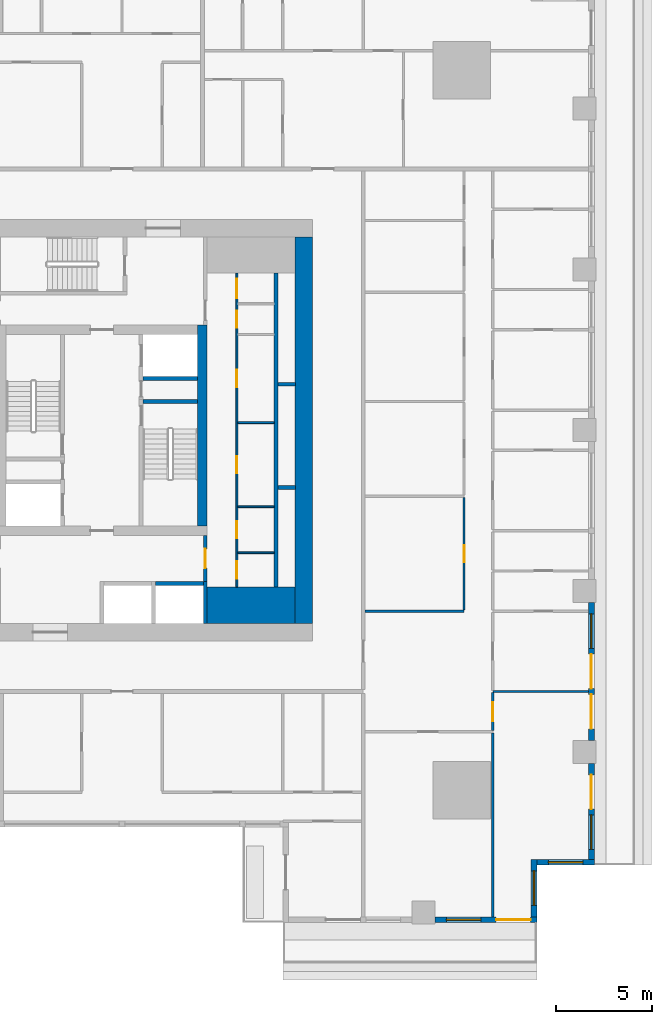
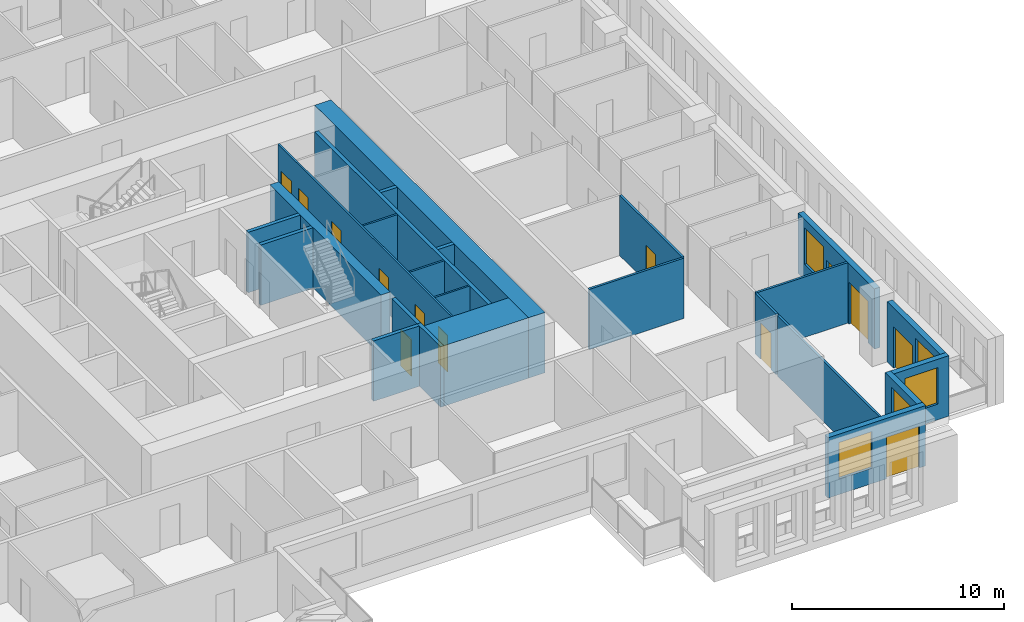
# One storey, part 5 of 15: 25 walls, 13 doors, 5 windows, 18 openings.
"""IFC4 building model written with IfcOpenShell, lengths in metres."""

import ifcopenshell
import ifcopenshell.guid

model = None  # the IFC model being written
_history = None  # IfcOwnerHistory: only IFC2X3 demands one
_inside = {}  # id of a spatial element -> (the spatial element, [elements in it])
_under = {}  # id of a project, library or spatial element -> (it, [spatial elements below it])
_declared = {}  # id of a project -> (the project, [libraries it declares])
_typed = {}  # id of a type object -> (the type object, [elements of that type])
_made_of = {}  # id of a material, layer set ... -> (it, [elements and type objects made of it])


def new_model(schema):
    """Start an empty IFC model of exactly this schema.

    Asked for "IFC4X3", IfcOpenShell would pick the latest addendum, in which some entities
    have other attributes; the version numbers below select the first issue.
    IFC2X3 requires an IfcOwnerHistory on every rooted entity: one is made here for all.
    """
    global model, _history
    if schema == "IFC4X3":
        model = ifcopenshell.file(schema_version=(4, 3, 0, 0))
    else:
        model = ifcopenshell.file(schema=schema)
    _inside.clear()
    _under.clear()
    _declared.clear()
    _typed.clear()
    _made_of.clear()
    _history = None
    if model.schema == "IFC2X3":
        org = make("IfcOrganization", Name="unknown")
        user = make(
            "IfcPersonAndOrganization",
            ThePerson=make("IfcPerson", FamilyName="unknown"),
            TheOrganization=org,
        )
        app = make(
            "IfcApplication",
            ApplicationDeveloper=org,
            Version="unknown",
            ApplicationFullName="unknown",
            ApplicationIdentifier="unknown",
        )
        _history = make(
            "IfcOwnerHistory",
            OwningUser=user,
            OwningApplication=app,
            ChangeAction="ADDED",
            CreationDate=0,
        )
    return model


def make(cls, **values):
    """One entity of the class cls with the attributes given. An attribute that is None is left unset."""
    return model.create_entity(
        cls, **{name: value for name, value in values.items() if value is not None}
    )


def rooted(cls, **values):
    """An entity with a GlobalId (a new one), such as an element, a storey or a relation."""
    return make(cls, GlobalId=ifcopenshell.guid.new(), OwnerHistory=_history, **values)


def si_unit(unit_type, name, prefix=None):
    """IfcSIUnit, for example si_unit("LENGTHUNIT", "METRE", prefix="MILLI")."""
    return make("IfcSIUnit", UnitType=unit_type, Prefix=prefix, Name=name)


def assignment(units):
    """IfcUnitAssignment: the units of a project."""
    return None if units is None else make("IfcUnitAssignment", Units=units)


def point(xyz):
    """IfcCartesianPoint."""
    return None if xyz is None else make("IfcCartesianPoint", Coordinates=xyz)


def direction(xyz):
    """IfcDirection."""
    return None if xyz is None else make("IfcDirection", DirectionRatios=xyz)


def frame(location, z_axis=None, x_axis=None):
    """IfcAxis2Placement3D, a coordinate frame: its origin and axes. An axis left out is left unset."""
    return make(
        "IfcAxis2Placement3D",
        Location=point(location),
        Axis=direction(z_axis),
        RefDirection=direction(x_axis),
    )


def frame_2d(location, x_axis=None):
    """IfcAxis2Placement2D, a coordinate frame in the plane: its origin and x axis."""
    return make(
        "IfcAxis2Placement2D", Location=point(location), RefDirection=direction(x_axis)
    )


def origin():
    """The frame at (0, 0, 0) with its axes left unset."""
    return frame((0.0, 0.0, 0.0))


def place(relative_to, where):
    """IfcLocalPlacement: puts the frame where relative to a parent placement (None: the world)."""
    return make(
        "IfcLocalPlacement", PlacementRelTo=relative_to, RelativePlacement=where
    )


def context(
    kind, dimensions, precision=None, world=None, true_north=None, identifier=None
):
    """IfcGeometricRepresentationContext, for example the 3D "Model" context."""
    return make(
        "IfcGeometricRepresentationContext",
        ContextIdentifier=identifier,
        ContextType=kind,
        CoordinateSpaceDimension=dimensions,
        Precision=precision,
        WorldCoordinateSystem=world,
        TrueNorth=true_north,
    )


def subcontext(parent, identifier, kind, view, scale=None):
    """IfcGeometricRepresentationSubContext, for example "Body" below "Model"."""
    return make(
        "IfcGeometricRepresentationSubContext",
        ContextIdentifier=identifier,
        ContextType=kind,
        ParentContext=parent,
        TargetScale=scale,
        TargetView=view,
    )


def project(units=None, contexts=None):
    """IfcProject with its units and contexts."""
    return rooted(
        "IfcProject",
        Name="project",
        RepresentationContexts=contexts,
        UnitsInContext=assignment(units),
    )


def spatial(cls, under=None, at=None, **own):
    """A site, building, storey or space (cls), placed at a placement, below another one or the project."""
    s = rooted(cls, ObjectPlacement=at, **own)
    if under is not None:
        _under.setdefault(under.id(), (under, []))[1].append(s)
    return s


def profile(cls, at=None, kind="AREA", **sizes):
    """A parametric profile (cls). Its sizes go by their IFC names, for example OverallWidth=200.0."""
    return make(cls, ProfileType=kind, Position=at, **sizes)


def rectangle(**sizes):
    """IfcRectangleProfileDef."""
    return profile("IfcRectangleProfileDef", **sizes)


def extrude(swept, where, along, depth):
    """IfcExtrudedAreaSolid: the profile swept, set in the frame where, extruded along a direction by depth."""
    return make(
        "IfcExtrudedAreaSolid",
        SweptArea=swept,
        Position=where,
        ExtrudedDirection=direction(along),
        Depth=depth,
    )


def shape(context_of_items, identifier, shape_type, items):
    """IfcShapeRepresentation: the items that make up one representation, for example the "Body"."""
    return make(
        "IfcShapeRepresentation",
        ContextOfItems=context_of_items,
        RepresentationIdentifier=identifier,
        RepresentationType=shape_type,
        Items=items,
    )


def material(Name=None, Category=None):
    """IfcMaterial."""
    return make("IfcMaterial", Name=Name, Category=Category)


def layer(
    of_material, thickness, ventilated=None, Name=None, Category=None, Priority=None
):
    """IfcMaterialLayer: one layer of a wall or slab, of a material (None: an air gap)."""
    return make(
        "IfcMaterialLayer",
        Material=of_material,
        LayerThickness=thickness,
        IsVentilated=ventilated,
        Name=Name,
        Category=Category,
        Priority=Priority,
    )


def layer_set(layers, Name=None):
    """IfcMaterialLayerSet."""
    return make("IfcMaterialLayerSet", MaterialLayers=layers, LayerSetName=Name)


def made_of(thing, what):
    """Note that an element or type object is made of a material, layer set ...; save() writes the relation."""
    if what is not None:
        _made_of.setdefault(what.id(), (what, []))[1].append(thing)
    return thing


def type_object(cls, material=None, **own):
    """A type object (cls), such as IfcWallType, which elements share."""
    return made_of(rooted(cls, **own), material)


def element(
    cls,
    number,
    at=None,
    inside=None,
    cuts=None,
    type_object=None,
    material=None,
    context=None,
    identifier="Body",
    shape_type=None,
    held_by="IfcProductDefinitionShape",
    body=None,
    shapes=None,
    **own,
):
    """One element of the class cls, such as IfcWall. Its Tag is "e" and its number.

    at: its placement. inside: the storey or other place that contains it. cuts: it is an
    opening in that element (IfcRelVoidsElement). A single representation is given by context,
    identifier, shape_type and body (its items); several are given by shapes. held_by: the class
    of the entity that holds the representations. save() writes the other relations.
    """
    e = rooted(cls, Tag="e%d" % number, ObjectPlacement=at, **own)
    if body is not None:
        shapes = [shape(context, identifier, shape_type, body)]
    if shapes is not None:
        e.Representation = make(held_by, Representations=shapes)
    if inside is not None:
        _inside.setdefault(inside.id(), (inside, []))[1].append(e)
    if cuts is not None:
        rooted(
            "IfcRelVoidsElement", RelatingBuildingElement=cuts, RelatedOpeningElement=e
        )
    if type_object is not None:
        _typed.setdefault(type_object.id(), (type_object, []))[1].append(e)
    return made_of(e, material)


def fill(opening, filler):
    """IfcRelFillsElement: the door or window that sits in an opening."""
    return rooted(
        "IfcRelFillsElement",
        RelatingOpeningElement=opening,
        RelatedBuildingElement=filler,
    )


def aggregate(whole, parts):
    """IfcRelAggregates: a whole, such as a stair, and the parts it consists of."""
    return rooted("IfcRelAggregates", RelatingObject=whole, RelatedObjects=parts)


def save(model, path):
    """Write the relations noted so far, then the file.

    IfcRelAggregates (storeys below a building ...), IfcRelContainedInSpatialStructure (elements
    in a storey), IfcRelDefinesByType, IfcRelAssociatesMaterial and IfcRelDeclares: one each for
    every whole, place, type object, material and project.
    """
    for whole, parts in _under.values():
        aggregate(whole, parts)
    for where, things in _inside.values():
        rooted(
            "IfcRelContainedInSpatialStructure",
            RelatedElements=things,
            RelatingStructure=where,
        )
    for kind, things in _typed.values():
        rooted("IfcRelDefinesByType", RelatedObjects=things, RelatingType=kind)
    for what, things in _made_of.values():
        rooted("IfcRelAssociatesMaterial", RelatedObjects=things, RelatingMaterial=what)
    for by, libraries in _declared.values():
        rooted("IfcRelDeclares", RelatingContext=by, RelatedDefinitions=libraries)
    model.write(path)


model = new_model("IFC4")

# Units and contexts
model_context = context("Model", 3, precision=1e-05, world=origin(), true_north=direction((0.0, 1.0)))
body_context = subcontext(model_context, "Body", "Model", "MODEL_VIEW")
ifc_project = project(units=[si_unit("LENGTHUNIT", "METRE"), si_unit("AREAUNIT", "SQUARE_METRE"), si_unit("VOLUMEUNIT", "CUBIC_METRE"), si_unit("PLANEANGLEUNIT", "RADIAN"), si_unit("MASSUNIT", "GRAM", prefix="KILO")], contexts=[model_context])

# Site, building, storey
site_placement = place(None, origin())
site = spatial("IfcSite", under=ifc_project, at=site_placement, CompositionType="ELEMENT")
building_placement = place(site_placement, origin())
building = spatial("IfcBuilding", under=site, at=building_placement, Name="Khepri Terraces", CompositionType="ELEMENT")
storey_placement = place(building_placement, frame((0.0, 0.0, 50.39990234375)))
storey = spatial("IfcBuildingStorey", under=building, at=storey_placement, Name="L11", CompositionType="ELEMENT", Elevation=50.39990234375)

# Walls
ifc_material_1 = material(Name="Concrete C80/95", Category="concrete")
ifc_layer_1 = layer(ifc_material_1, 1.89990234375, Name="Concrete C80/95", Category="concrete")
ifc_layer_set_1 = layer_set([ifc_layer_1], Name="Concrete C80/95")
wall_type_1 = type_object("IfcWallType", Name="Core wall 1900 C80/95", PredefinedType="SHEAR", material=ifc_layer_set_1)
wall_1_placement = place(storey_placement, frame((5.5, -9.14990234375, 0.0), z_axis=(0.0, 0.0, 1.0), x_axis=(1.0, 0.0, 0.0)))
element("IfcWall", 1, at=wall_1_placement, inside=storey, type_object=wall_type_1, Name="Core wall PR02 L11", PredefinedType="SHEAR", context=body_context, shape_type="SweptSolid", body=[
    extrude(rectangle(XDim=4.60009765625, YDim=1.89990234375, at=frame_2d((2.300048828125, 0.0))), origin(), (0.0, 0.0, 1.0), 3.47998046875),
])
ifc_layer_2 = layer(ifc_material_1, 0.199951171875, Name="Concrete C80/95", Category="concrete")
ifc_layer_set_2 = layer_set([ifc_layer_2], Name="Concrete C80/95")
wall_type_2 = type_object("IfcWallType", Name="Core wall 200 C80/95", PredefinedType="SHEAR", material=ifc_layer_set_2)
wall_2_placement = place(storey_placement, frame((2.14990234375, 1.5, 0.0), z_axis=(0.0, 0.0, 1.0), x_axis=(1.0, 0.0, 0.0)))
element("IfcWall", 2, at=wall_2_placement, inside=storey, type_object=wall_type_2, Name="Core wall ST04 L11", PredefinedType="SHEAR", context=body_context, shape_type="SweptSolid", body=[
    extrude(rectangle(XDim=2.85009765625, YDim=0.199951171875, at=frame_2d((1.425048828125, 0.0))), origin(), (0.0, 0.0, 1.0), 3.47998046875),
])
wall_3_placement = place(storey_placement, frame((5.39990234375, -10.10009765625, 0.0), z_axis=(0.0, 0.0, 1.0), x_axis=(0.0, 1.0, 0.0)))
element("IfcWall", 3, at=wall_3_placement, inside=storey, type_object=wall_type_2, Name="Core wall SH03 L11", PredefinedType="SHEAR", context=body_context, shape_type="SweptSolid", body=[
    extrude(rectangle(XDim=2.2001953125, YDim=0.199951171875, at=frame_2d((1.10009765625, 0.0))), origin(), (0.0, 0.0, 1.0), 3.47998046875),
])
wall_4_placement = place(storey_placement, frame((9.10009765625, -8.199951171875, 0.0), z_axis=(0.0, 0.0, 1.0), x_axis=(0.0, 1.0, 0.0)))
element("IfcWall", 4, at=wall_4_placement, inside=storey, type_object=wall_type_2, Name="Core wall SH05 L11", PredefinedType="SHEAR", context=body_context, shape_type="SweptSolid", body=[
    extrude(rectangle(XDim=16.39990234375, YDim=0.199951171875, at=frame_2d((8.199951171875, 0.0))), origin(), (0.0, 0.0, 1.0), 3.47998046875),
])
wall_5_placement = place(storey_placement, frame((2.800048828125, -8.0, 0.0), z_axis=(0.0, 0.0, 1.0), x_axis=(1.0, 0.0, 0.0)))
element("IfcWall", 5, at=wall_5_placement, inside=storey, type_object=wall_type_2, Name="Core wall SH07 L11", PredefinedType="SHEAR", context=body_context, shape_type="SweptSolid", body=[
    extrude(rectangle(XDim=2.5, YDim=0.199951171875, at=frame_2d((1.25, 0.0))), origin(), (0.0, 0.0, 1.0), 3.47998046875),
])
for number, where, z_axis, x_axis, name in (
    (6, (9.199951171875, -3.0, 0.0), (0.0, 0.0, 1.0), (1.0, 0.0, 0.0), "Core wall SH11 L11"),
    (7, (9.199951171875, 2.39990234375, 0.0), (0.0, 0.0, 1.0), (1.0, 0.0, 0.0), "Core wall SH16 L11"),
):
    element("IfcWall", number, at=place(storey_placement, frame(where, z_axis=z_axis, x_axis=x_axis)), inside=storey, type_object=wall_type_2, Name=name, PredefinedType="SHEAR", context=body_context, shape_type="SweptSolid", body=[
        extrude(rectangle(XDim=0.900146484375, YDim=0.199951171875, at=frame_2d((0.4501953125, 0.0))), origin(), (0.0, 0.0, 1.0), 3.47998046875),
    ])
wall_6_placement = place(storey_placement, frame((2.14990234375, 2.699951171875, 0.0), z_axis=(0.0, 0.0, 1.0), x_axis=(1.0, 0.0, 0.0)))
element("IfcWall", 8, at=wall_6_placement, inside=storey, type_object=wall_type_2, Name="Core wall SH18 L11", PredefinedType="SHEAR", context=body_context, shape_type="SweptSolid", body=[
    extrude(rectangle(XDim=2.85009765625, YDim=0.199951171875, at=frame_2d((1.425048828125, 0.0))), origin(), (0.0, 0.0, 1.0), 3.47998046875),
])
ifc_layer_3 = layer(ifc_material_1, 0.5, Name="Concrete C80/95", Category="concrete")
ifc_layer_set_3 = layer_set([ifc_layer_3], Name="Concrete C80/95")
wall_type_3 = type_object("IfcWallType", Name="Core wall 500 C80/95", PredefinedType="SHEAR", material=ifc_layer_set_3)
wall_7_placement = place(storey_placement, frame((5.25, -5.0, 0.0), z_axis=(0.0, 0.0, 1.0), x_axis=(0.0, 1.0, 0.0)))
element("IfcWall", 9, at=wall_7_placement, inside=storey, type_object=wall_type_3, Name="Core wall BX03 L11", PredefinedType="SHEAR", context=body_context, shape_type="SweptSolid", body=[
    extrude(rectangle(XDim=10.5, YDim=0.5, at=frame_2d((5.25, 0.0))), origin(), (0.0, 0.0, 1.0), 3.47998046875),
])
ifc_layer_4 = layer(ifc_material_1, 0.89990234375, Name="Concrete C80/95", Category="concrete")
ifc_layer_set_4 = layer_set([ifc_layer_4], Name="Concrete C80/95")
wall_type_4 = type_object("IfcWallType", Name="Core wall 900 C80/95", PredefinedType="SHEAR", material=ifc_layer_set_4)
wall_8_placement = place(storey_placement, frame((10.550048828125, -10.10009765625, 0.0), z_axis=(0.0, 0.0, 1.0), x_axis=(0.0, 1.0, 0.0)))
element("IfcWall", 10, at=wall_8_placement, inside=storey, type_object=wall_type_4, Name="Core wall OW-E L11", PredefinedType="SHEAR", context=body_context, shape_type="SweptSolid", body=[
    extrude(rectangle(XDim=20.2001953125, YDim=0.89990234375, at=frame_2d((10.10009765625, 0.0))), origin(), (0.0, 0.0, 1.0), 3.47998046875),
])

# Wall, openings, doors
ifc_material_2 = material(Name="Fire-rated gypsum board partition")
ifc_layer_5 = layer(ifc_material_2, 0.10009765625, Name="Fire-rated gypsum board partition")
ifc_layer_set_5 = layer_set([ifc_layer_5], Name="Fire-rated gypsum board partition")
wall_type_5 = type_object("IfcWallType", Name="WL-CORE-PART-100", PredefinedType="PARTITIONING", material=ifc_layer_set_5)
wall_9_placement = place(storey_placement, frame((7.050048828125, -8.199951171875, 0.0), z_axis=(0.0, 0.0, 1.0), x_axis=(0.0, 1.0, 0.0)))
wall_9 = element("IfcWall", 11, at=wall_9_placement, inside=storey, type_object=wall_type_5, Name="Core partition PT02 L11", PredefinedType="PARTITIONING", context=body_context, shape_type="SweptSolid", body=[
    extrude(rectangle(XDim=16.39990234375, YDim=0.10009765625, at=frame_2d((8.199951171875, 0.0))), origin(), (0.0, 0.0, 1.0), 3.47998046875),
])
opening_1_placement = place(wall_9_placement, frame((0.449951171875, 0.0, 0.0)))
opening_1 = element("IfcOpeningElement", 12, at=opening_1_placement, cuts=wall_9, Name="Opening L11-C22", PredefinedType="OPENING", context=body_context, shape_type="SweptSolid", body=[
    extrude(rectangle(XDim=0.89990234375, YDim=2.10009765625, at=frame_2d((0.449951171875, 1.050048828125))), frame((0.0, 0.06005859375, 0.0), z_axis=(0.0, -1.0, 0.0), x_axis=(1.0, 0.0, 0.0)), (0.0, 0.0, 1.0), 0.1201171875),
])
opening_2_placement = place(wall_9_placement, frame((2.550048828125, 0.0, 0.0)))
opening_2 = element("IfcOpeningElement", 13, at=opening_2_placement, cuts=wall_9, Name="Opening L11-C23", PredefinedType="OPENING", context=body_context, shape_type="SweptSolid", body=[
    extrude(rectangle(XDim=0.89990234375, YDim=2.10009765625, at=frame_2d((0.449951171875, 1.050048828125))), frame((0.0, 0.06005859375, 0.0), z_axis=(0.0, -1.0, 0.0), x_axis=(1.0, 0.0, 0.0)), (0.0, 0.0, 1.0), 0.1201171875),
])
opening_3_placement = place(wall_9_placement, frame((5.949951171875, 0.0, 0.0)))
opening_3 = element("IfcOpeningElement", 14, at=opening_3_placement, cuts=wall_9, Name="Opening L11-C24", PredefinedType="OPENING", context=body_context, shape_type="SweptSolid", body=[
    extrude(rectangle(XDim=0.89990234375, YDim=2.10009765625, at=frame_2d((0.449951171875, 1.050048828125))), frame((0.0, 0.06005859375, 0.0), z_axis=(0.0, -1.0, 0.0), x_axis=(1.0, 0.0, 0.0)), (0.0, 0.0, 1.0), 0.1201171875),
])
opening_4_placement = place(wall_9_placement, frame((10.449951171875, 0.0, 0.0)))
opening_4 = element("IfcOpeningElement", 15, at=opening_4_placement, cuts=wall_9, Name="Opening L11-C25", PredefinedType="OPENING", context=body_context, shape_type="SweptSolid", body=[
    extrude(rectangle(XDim=0.89990234375, YDim=2.10009765625, at=frame_2d((0.449951171875, 1.050048828125))), frame((0.0, 0.06005859375, 0.0), z_axis=(0.0, -1.0, 0.0), x_axis=(1.0, 0.0, 0.0)), (0.0, 0.0, 1.0), 0.1201171875),
])
opening_5_placement = place(wall_9_placement, frame((13.550048828125, 0.0, 0.0)))
opening_5 = element("IfcOpeningElement", 16, at=opening_5_placement, cuts=wall_9, Name="Opening L11-C26", PredefinedType="OPENING", context=body_context, shape_type="SweptSolid", body=[
    extrude(rectangle(XDim=0.89990234375, YDim=2.10009765625, at=frame_2d((0.449951171875, 1.050048828125))), frame((0.0, 0.06005859375, 0.0), z_axis=(0.0, -1.0, 0.0), x_axis=(1.0, 0.0, 0.0)), (0.0, 0.0, 1.0), 0.1201171875),
])
opening_6_placement = place(wall_9_placement, frame((15.10009765625, 0.0, 0.0)))
opening_6 = element("IfcOpeningElement", 17, at=opening_6_placement, cuts=wall_9, Name="Opening L11-C27", PredefinedType="OPENING", context=body_context, shape_type="SweptSolid", body=[
    extrude(rectangle(XDim=1.0, YDim=2.10009765625, at=frame_2d((0.5, 1.050048828125))), frame((0.0, 0.06005859375, 0.0), z_axis=(0.0, -1.0, 0.0), x_axis=(1.0, 0.0, 0.0)), (0.0, 0.0, 1.0), 0.1201171875),
])
ifc_material_3 = material(Name="Painted steel", Category="steel")
door_type_1 = type_object("IfcDoorType", Name="DR-CORE-SERVICE-900", OperationType="NOTDEFINED", PredefinedType="DOOR", material=ifc_material_3)
door_1_placement = place(opening_1_placement, frame((0.89990234375, 0.0, 0.0), z_axis=(0.0, 0.0, 1.0), x_axis=(-1.0, 0.0, 0.0)))
door_1 = element("IfcDoor", 18, at=door_1_placement, inside=storey, type_object=door_type_1, Name="Service room door L11-C22", OperationType="SINGLE_SWING_RIGHT", OverallHeight=2.10009765625, OverallWidth=0.89990234375, PredefinedType="DOOR", context=body_context, shape_type="SweptSolid", body=[
    extrude(rectangle(XDim=0.89990234375, YDim=2.10009765625, at=frame_2d((0.449951171875, 1.050048828125))), frame((0.0, 0.02490234375, 0.0), z_axis=(0.0, -1.0, 0.0), x_axis=(1.0, 0.0, 0.0)), (0.0, 0.0, 1.0), 0.050048828125),
])
fill(opening_1, door_1)
door_2_placement = place(opening_2_placement, frame((0.89990234375, 0.0, 0.0), z_axis=(0.0, 0.0, 1.0), x_axis=(-1.0, 0.0, 0.0)))
door_2 = element("IfcDoor", 19, at=door_2_placement, inside=storey, type_object=door_type_1, Name="Service room door L11-C23", OperationType="SINGLE_SWING_RIGHT", OverallHeight=2.10009765625, OverallWidth=0.89990234375, PredefinedType="DOOR", context=body_context, shape_type="SweptSolid", body=[
    extrude(rectangle(XDim=0.89990234375, YDim=2.10009765625, at=frame_2d((0.449951171875, 1.050048828125))), frame((0.0, 0.02490234375, 0.0), z_axis=(0.0, -1.0, 0.0), x_axis=(1.0, 0.0, 0.0)), (0.0, 0.0, 1.0), 0.050048828125),
])
fill(opening_2, door_2)
door_3_placement = place(opening_3_placement, frame((0.89990234375, 0.0, 0.0), z_axis=(0.0, 0.0, 1.0), x_axis=(-1.0, 0.0, 0.0)))
door_3 = element("IfcDoor", 20, at=door_3_placement, inside=storey, type_object=door_type_1, Name="Service room door L11-C24", OperationType="SINGLE_SWING_RIGHT", OverallHeight=2.10009765625, OverallWidth=0.89990234375, PredefinedType="DOOR", context=body_context, shape_type="SweptSolid", body=[
    extrude(rectangle(XDim=0.89990234375, YDim=2.10009765625, at=frame_2d((0.449951171875, 1.050048828125))), frame((0.0, 0.02490234375, 0.0), z_axis=(0.0, -1.0, 0.0), x_axis=(1.0, 0.0, 0.0)), (0.0, 0.0, 1.0), 0.050048828125),
])
fill(opening_3, door_3)
door_4_placement = place(opening_4_placement, frame((0.89990234375, 0.0, 0.0), z_axis=(0.0, 0.0, 1.0), x_axis=(-1.0, 0.0, 0.0)))
door_4 = element("IfcDoor", 21, at=door_4_placement, inside=storey, type_object=door_type_1, Name="Service room door L11-C25", OperationType="SINGLE_SWING_LEFT", OverallHeight=2.10009765625, OverallWidth=0.89990234375, PredefinedType="DOOR", context=body_context, shape_type="SweptSolid", body=[
    extrude(rectangle(XDim=0.89990234375, YDim=2.10009765625, at=frame_2d((0.449951171875, 1.050048828125))), frame((0.0, 0.02490234375, 0.0), z_axis=(0.0, -1.0, 0.0), x_axis=(1.0, 0.0, 0.0)), (0.0, 0.0, 1.0), 0.050048828125),
])
fill(opening_4, door_4)
door_5_placement = place(opening_5_placement, frame((0.89990234375, 0.0, 0.0), z_axis=(0.0, 0.0, 1.0), x_axis=(-1.0, 0.0, 0.0)))
door_5 = element("IfcDoor", 22, at=door_5_placement, inside=storey, type_object=door_type_1, Name="Service room door L11-C26", OperationType="SINGLE_SWING_LEFT", OverallHeight=2.10009765625, OverallWidth=0.89990234375, PredefinedType="DOOR", context=body_context, shape_type="SweptSolid", body=[
    extrude(rectangle(XDim=0.89990234375, YDim=2.10009765625, at=frame_2d((0.449951171875, 1.050048828125))), frame((0.0, 0.02490234375, 0.0), z_axis=(0.0, -1.0, 0.0), x_axis=(1.0, 0.0, 0.0)), (0.0, 0.0, 1.0), 0.050048828125),
])
fill(opening_5, door_5)
ifc_material_4 = material(Name="Timber veneer", Category="wood")
door_type_2 = type_object("IfcDoorType", Name="DR-CORE-WC-1000", OperationType="NOTDEFINED", PredefinedType="DOOR", material=ifc_material_4)
door_6_placement = place(opening_6_placement, frame((1.0, 0.0, 0.0), z_axis=(0.0, 0.0, 1.0), x_axis=(-1.0, 0.0, 0.0)))
door_6 = element("IfcDoor", 23, at=door_6_placement, inside=storey, type_object=door_type_2, Name="WC door L11-C27", OperationType="SINGLE_SWING_LEFT", OverallHeight=2.10009765625, OverallWidth=1.0, PredefinedType="DOOR", context=body_context, shape_type="SweptSolid", body=[
    extrude(rectangle(XDim=1.0, YDim=2.10009765625, at=frame_2d((0.5, 1.050048828125))), frame((0.0, 0.02490234375, 0.0), z_axis=(0.0, -1.0, 0.0), x_axis=(1.0, 0.0, 0.0)), (0.0, 0.0, 1.0), 0.050048828125),
])
fill(opening_6, door_6)

# Walls
for number, where, z_axis, x_axis, name in (
    (24, (7.10009765625, -6.39990234375, 0.0), (0.0, 0.0, 1.0), (1.0, 0.0, 0.0), "Core partition PT04 L11"),
    (25, (7.10009765625, -4.0, 0.0), (0.0, 0.0, 1.0), (1.0, 0.0, 0.0), "Core partition PT05 L11"),
    (26, (7.10009765625, 0.39990234375, 0.0), (0.0, 0.0, 1.0), (1.0, 0.0, 0.0), "Core partition PT06 L11"),
):
    element("IfcWall", number, at=place(storey_placement, frame(where, z_axis=z_axis, x_axis=x_axis)), inside=storey, type_object=wall_type_5, Name=name, PredefinedType="PARTITIONING", context=body_context, shape_type="SweptSolid", body=[
        extrude(rectangle(XDim=1.89990234375, YDim=0.10009765625, at=frame_2d((0.949951171875, 0.0))), origin(), (0.0, 0.0, 1.0), 3.47998046875),
    ])

# Wall, opening, door
ifc_layer_6 = layer(ifc_material_2, 0.199951171875, Name="Fire-rated gypsum board partition")
ifc_layer_set_6 = layer_set([ifc_layer_6], Name="Fire-rated gypsum board partition")
wall_type_6 = type_object("IfcWallType", Name="WL-CORE-PART-200", PredefinedType="PARTITIONING", material=ifc_layer_set_6)
wall_10_placement = place(storey_placement, frame((5.39990234375, -7.89990234375, 0.0), z_axis=(0.0, 0.0, 1.0), x_axis=(0.0, 1.0, 0.0)))
wall_10 = element("IfcWall", 27, at=wall_10_placement, inside=storey, type_object=wall_type_6, Name="Core partition PT03 L11", PredefinedType="PARTITIONING", context=body_context, shape_type="SweptSolid", body=[
    extrude(rectangle(XDim=2.39990234375, YDim=0.199951171875, at=frame_2d((1.199951171875, 0.0))), origin(), (0.0, 0.0, 1.0), 3.47998046875),
])
opening_7_placement = place(wall_10_placement, frame((0.699951171875, 0.0, 0.0)))
opening_7 = element("IfcOpeningElement", 28, at=opening_7_placement, cuts=wall_10, Name="Opening L11-C19", PredefinedType="OPENING", context=body_context, shape_type="SweptSolid", body=[
    extrude(rectangle(XDim=1.0, YDim=2.10009765625, at=frame_2d((0.5, 1.050048828125))), frame((0.0, 0.10986328125, 0.0), z_axis=(0.0, -1.0, 0.0), x_axis=(1.0, 0.0, 0.0)), (0.0, 0.0, 1.0), 0.219970703125),
])
door_type_3 = type_object("IfcDoorType", Name="DR-CORE-LOBBY-1000", OperationType="NOTDEFINED", PredefinedType="DOOR", material=ifc_material_3)
door_7_placement = place(opening_7_placement, origin())
door_7 = element("IfcDoor", 29, at=door_7_placement, inside=storey, type_object=door_type_3, Name="Lobby door L11-C19", OperationType="SINGLE_SWING_RIGHT", OverallHeight=2.10009765625, OverallWidth=1.0, PredefinedType="DOOR", context=body_context, shape_type="SweptSolid", body=[
    extrude(rectangle(XDim=1.0, YDim=2.10009765625, at=frame_2d((0.5, 1.050048828125))), frame((0.0, 0.02490234375, 0.0), z_axis=(0.0, -1.0, 0.0), x_axis=(1.0, 0.0, 0.0)), (0.0, 0.0, 1.0), 0.050048828125),
])
fill(opening_7, door_7)

# Wall, opening, window
ifc_material_5 = material(Name="Precast concrete C50/60 warm stone", Category="masonry")
ifc_layer_7 = layer(ifc_material_5, 0.300048828125, Name="Precast concrete C50/60 warm stone", Category="masonry")
ifc_layer_set_7 = layer_set([ifc_layer_7], Name="Precast concrete C50/60 warm stone")
wall_type_7 = type_object("IfcWallType", Name="WL-EXT-PRECAST-300", PredefinedType="STANDARD", material=ifc_layer_set_7)
wall_11_placement = place(storey_placement, frame((22.719970703125, -22.570068359375, 0.0), z_axis=(0.0, 0.0, 1.0), x_axis=(1.0, 0.0, 0.0)))
wall_11 = element("IfcWall", 30, at=wall_11_placement, inside=storey, type_object=wall_type_7, Name="External wall L11 S", PredefinedType="STANDARD", context=body_context, shape_type="SweptSolid", body=[
    extrude(rectangle(XDim=3.0, YDim=0.300048828125, at=frame_2d((1.5, 0.0))), origin(), (0.0, 0.0, 1.0), 3.47998046875),
])
opening_8_placement = place(wall_11_placement, frame((0.60009765625, 0.0, 0.89990234375)))
opening_8 = element("IfcOpeningElement", 31, at=opening_8_placement, cuts=wall_11, Name="Opening W1", PredefinedType="OPENING", context=body_context, shape_type="SweptSolid", body=[
    extrude(rectangle(XDim=1.800048828125, YDim=2.10009765625, at=frame_2d((0.89990234375, 1.050048828125))), frame((0.0, 0.16015625, 0.0), z_axis=(0.0, -1.0, 0.0), x_axis=(1.0, 0.0, 0.0)), (0.0, 0.0, 1.0), 0.320068359375),
])
ifc_material_6 = material(Name="Clear glass", Category="glass")
window_type = type_object("IfcWindowType", Name="WIN-RES-1800x2100", PartitioningType="SINGLE_PANEL", PredefinedType="WINDOW", material=ifc_material_6)
window_1_placement = place(opening_8_placement, origin())
window_1 = element("IfcWindow", 32, at=window_1_placement, inside=storey, type_object=window_type, Name="Window L11 S", OverallHeight=2.10009765625, OverallWidth=1.800048828125, PartitioningType="SINGLE_PANEL", PredefinedType="WINDOW", context=body_context, shape_type="SweptSolid", body=[
    extrude(rectangle(XDim=1.800048828125, YDim=2.10009765625, at=frame_2d((0.89990234375, 1.050048828125))), frame((0.0, 0.030029296875, 0.0), z_axis=(0.0, -1.0, 0.0), x_axis=(1.0, 0.0, 0.0)), (0.0, 0.0, 1.0), 0.06005859375),
])
fill(opening_8, window_1)

# Wall, openings, door, window
wall_12_placement = place(storey_placement, frame((25.570068359375, -22.419921875, 0.0), z_axis=(0.0, 0.0, 1.0), x_axis=(0.0, 1.0, 0.0)))
wall_12 = element("IfcWall", 33, at=wall_12_placement, inside=storey, type_object=wall_type_7, Name="External wall L11 E", PredefinedType="STANDARD", context=body_context, shape_type="SweptSolid", body=[
    extrude(rectangle(XDim=5.02001953125, YDim=0.300048828125, at=frame_2d((2.510009765625, 0.0))), origin(), (0.0, 0.0, 1.0), 3.47998046875),
])
opening_9_placement = place(wall_12_placement, frame((0.52001953125, 0.0, 0.89990234375)))
opening_9 = element("IfcOpeningElement", 34, at=opening_9_placement, cuts=wall_12, Name="Opening W1", PredefinedType="OPENING", context=body_context, shape_type="SweptSolid", body=[
    extrude(rectangle(XDim=1.800048828125, YDim=2.10009765625, at=frame_2d((0.89990234375, 1.050048828125))), frame((0.0, 0.16015625, 0.0), z_axis=(0.0, -1.0, 0.0), x_axis=(1.0, 0.0, 0.0)), (0.0, 0.0, 1.0), 0.320068359375),
])
opening_10_placement = place(wall_12_placement, frame((2.6201171875, 0.0, 0.0)))
opening_10 = element("IfcOpeningElement", 35, at=opening_10_placement, cuts=wall_12, Name="Opening ED-L11-01", PredefinedType="OPENING", context=body_context, shape_type="SweptSolid", body=[
    extrude(rectangle(XDim=1.800048828125, YDim=2.39990234375, at=frame_2d((0.89990234375, 1.199951171875))), frame((0.0, 0.16015625, 0.0), z_axis=(0.0, -1.0, 0.0), x_axis=(1.0, 0.0, 0.0)), (0.0, 0.0, 1.0), 0.320068359375),
])
ifc_material_7 = material(Name="Anodised aluminium bronze glazed door", Category="aluminium")
door_type_4 = type_object("IfcDoorType", Name="DR-BAL-SLIDE-1800x2400", OperationType="NOTDEFINED", PredefinedType="DOOR", material=ifc_material_7)
door_8_placement = place(opening_10_placement, origin())
door_8 = element("IfcDoor", 36, at=door_8_placement, inside=storey, type_object=door_type_4, Name="Balcony door L11 E", OperationType="SLIDING_TO_RIGHT", OverallHeight=2.39990234375, OverallWidth=1.800048828125, PredefinedType="DOOR", context=body_context, shape_type="SweptSolid", body=[
    extrude(rectangle(XDim=1.800048828125, YDim=2.39990234375, at=frame_2d((0.89990234375, 1.199951171875))), frame((0.0, 0.02490234375, 0.0), z_axis=(0.0, -1.0, 0.0), x_axis=(1.0, 0.0, 0.0)), (0.0, 0.0, 1.0), 0.050048828125),
])
fill(opening_10, door_8)
window_2_placement = place(opening_9_placement, origin())
window_2 = element("IfcWindow", 37, at=window_2_placement, inside=storey, type_object=window_type, Name="Window L11 E", OverallHeight=2.10009765625, OverallWidth=1.800048828125, PartitioningType="SINGLE_PANEL", PredefinedType="WINDOW", context=body_context, shape_type="SweptSolid", body=[
    extrude(rectangle(XDim=1.800048828125, YDim=2.10009765625, at=frame_2d((0.89990234375, 1.050048828125))), frame((0.0, 0.030029296875, 0.0), z_axis=(0.0, -1.0, 0.0), x_axis=(1.0, 0.0, 0.0)), (0.0, 0.0, 1.0), 0.06005859375),
])
fill(opening_9, window_2)

# Wall, openings, doors, window
wall_13_placement = place(storey_placement, frame((25.570068359375, -16.199951171875, 0.0), z_axis=(0.0, 0.0, 1.0), x_axis=(0.0, 1.0, 0.0)))
wall_13 = element("IfcWall", 38, at=wall_13_placement, inside=storey, type_object=wall_type_7, Name="External wall L11 E", PredefinedType="STANDARD", context=body_context, shape_type="SweptSolid", body=[
    extrude(rectangle(XDim=7.199951171875, YDim=0.300048828125, at=frame_2d((3.60009765625, 0.0))), origin(), (0.0, 0.0, 1.0), 3.47998046875),
])
opening_11_placement = place(wall_13_placement, frame((0.60009765625, 0.0, 0.0)))
opening_11 = element("IfcOpeningElement", 39, at=opening_11_placement, cuts=wall_13, Name="Opening ED-L11-02", PredefinedType="OPENING", context=body_context, shape_type="SweptSolid", body=[
    extrude(rectangle(XDim=1.800048828125, YDim=2.39990234375, at=frame_2d((0.89990234375, 1.199951171875))), frame((0.0, 0.16015625, 0.0), z_axis=(0.0, -1.0, 0.0), x_axis=(1.0, 0.0, 0.0)), (0.0, 0.0, 1.0), 0.320068359375),
])
opening_12_placement = place(wall_13_placement, frame((2.699951171875, 0.0, 0.0)))
opening_12 = element("IfcOpeningElement", 40, at=opening_12_placement, cuts=wall_13, Name="Opening ED-L11-03", PredefinedType="OPENING", context=body_context, shape_type="SweptSolid", body=[
    extrude(rectangle(XDim=1.800048828125, YDim=2.39990234375, at=frame_2d((0.89990234375, 1.199951171875))), frame((0.0, 0.16015625, 0.0), z_axis=(0.0, -1.0, 0.0), x_axis=(1.0, 0.0, 0.0)), (0.0, 0.0, 1.0), 0.320068359375),
])
opening_13_placement = place(wall_13_placement, frame((4.800048828125, 0.0, 0.89990234375)))
opening_13 = element("IfcOpeningElement", 41, at=opening_13_placement, cuts=wall_13, Name="Opening W1", PredefinedType="OPENING", context=body_context, shape_type="SweptSolid", body=[
    extrude(rectangle(XDim=1.800048828125, YDim=2.10009765625, at=frame_2d((0.89990234375, 1.050048828125))), frame((0.0, 0.16015625, 0.0), z_axis=(0.0, -1.0, 0.0), x_axis=(1.0, 0.0, 0.0)), (0.0, 0.0, 1.0), 0.320068359375),
])
door_9_placement = place(opening_11_placement, origin())
door_9 = element("IfcDoor", 42, at=door_9_placement, inside=storey, type_object=door_type_4, Name="Balcony door L11 E", OperationType="SLIDING_TO_LEFT", OverallHeight=2.39990234375, OverallWidth=1.800048828125, PredefinedType="DOOR", context=body_context, shape_type="SweptSolid", body=[
    extrude(rectangle(XDim=1.800048828125, YDim=2.39990234375, at=frame_2d((0.89990234375, 1.199951171875))), frame((0.0, 0.02490234375, 0.0), z_axis=(0.0, -1.0, 0.0), x_axis=(1.0, 0.0, 0.0)), (0.0, 0.0, 1.0), 0.050048828125),
])
fill(opening_11, door_9)
door_10_placement = place(opening_12_placement, origin())
door_10 = element("IfcDoor", 43, at=door_10_placement, inside=storey, type_object=door_type_4, Name="Balcony door L11 E", OperationType="SLIDING_TO_RIGHT", OverallHeight=2.39990234375, OverallWidth=1.800048828125, PredefinedType="DOOR", context=body_context, shape_type="SweptSolid", body=[
    extrude(rectangle(XDim=1.800048828125, YDim=2.39990234375, at=frame_2d((0.89990234375, 1.199951171875))), frame((0.0, 0.02490234375, 0.0), z_axis=(0.0, -1.0, 0.0), x_axis=(1.0, 0.0, 0.0)), (0.0, 0.0, 1.0), 0.050048828125),
])
fill(opening_12, door_10)
window_3_placement = place(opening_13_placement, origin())
window_3 = element("IfcWindow", 44, at=window_3_placement, inside=storey, type_object=window_type, Name="Window L11 E", OverallHeight=2.10009765625, OverallWidth=1.800048828125, PartitioningType="SINGLE_PANEL", PredefinedType="WINDOW", context=body_context, shape_type="SweptSolid", body=[
    extrude(rectangle(XDim=1.800048828125, YDim=2.10009765625, at=frame_2d((0.89990234375, 1.050048828125))), frame((0.0, 0.030029296875, 0.0), z_axis=(0.0, -1.0, 0.0), x_axis=(1.0, 0.0, 0.0)), (0.0, 0.0, 1.0), 0.06005859375),
])
fill(opening_13, window_3)

# Wall, openings, door, window
wall_14_placement = place(storey_placement, frame((17.39990234375, -25.570068359375, 0.0), z_axis=(0.0, 0.0, 1.0), x_axis=(1.0, 0.0, 0.0)))
wall_14 = element("IfcWall", 45, at=wall_14_placement, inside=storey, type_object=wall_type_7, Name="External wall L11 S", PredefinedType="STANDARD", context=body_context, shape_type="SweptSolid", body=[
    extrude(rectangle(XDim=5.320068359375, YDim=0.300048828125, at=frame_2d((2.66015625, 0.0))), origin(), (0.0, 0.0, 1.0), 3.47998046875),
])
opening_14_placement = place(wall_14_placement, frame((0.60009765625, 0.0, 0.89990234375)))
opening_14 = element("IfcOpeningElement", 46, at=opening_14_placement, cuts=wall_14, Name="Opening W1", PredefinedType="OPENING", context=body_context, shape_type="SweptSolid", body=[
    extrude(rectangle(XDim=1.800048828125, YDim=2.10009765625, at=frame_2d((0.89990234375, 1.050048828125))), frame((0.0, 0.16015625, 0.0), z_axis=(0.0, -1.0, 0.0), x_axis=(1.0, 0.0, 0.0)), (0.0, 0.0, 1.0), 0.320068359375),
])
opening_15_placement = place(wall_14_placement, frame((3.195068359375, 0.0, 0.0)))
opening_15 = element("IfcOpeningElement", 47, at=opening_15_placement, cuts=wall_14, Name="Opening ED-L11-22", PredefinedType="OPENING", context=body_context, shape_type="SweptSolid", body=[
    extrude(rectangle(XDim=1.800048828125, YDim=2.39990234375, at=frame_2d((0.89990234375, 1.199951171875))), frame((0.0, 0.16015625, 0.0), z_axis=(0.0, -1.0, 0.0), x_axis=(1.0, 0.0, 0.0)), (0.0, 0.0, 1.0), 0.320068359375),
])
door_11_placement = place(opening_15_placement, origin())
door_11 = element("IfcDoor", 48, at=door_11_placement, inside=storey, type_object=door_type_4, Name="Balcony door L11 S", OperationType="SLIDING_TO_RIGHT", OverallHeight=2.39990234375, OverallWidth=1.800048828125, PredefinedType="DOOR", context=body_context, shape_type="SweptSolid", body=[
    extrude(rectangle(XDim=1.800048828125, YDim=2.39990234375, at=frame_2d((0.89990234375, 1.199951171875))), frame((0.0, 0.02490234375, 0.0), z_axis=(0.0, -1.0, 0.0), x_axis=(1.0, 0.0, 0.0)), (0.0, 0.0, 1.0), 0.050048828125),
])
fill(opening_15, door_11)
window_4_placement = place(opening_14_placement, origin())
window_4 = element("IfcWindow", 49, at=window_4_placement, inside=storey, type_object=window_type, Name="Window L11 S", OverallHeight=2.10009765625, OverallWidth=1.800048828125, PartitioningType="SINGLE_PANEL", PredefinedType="WINDOW", context=body_context, shape_type="SweptSolid", body=[
    extrude(rectangle(XDim=1.800048828125, YDim=2.10009765625, at=frame_2d((0.89990234375, 1.050048828125))), frame((0.0, 0.030029296875, 0.0), z_axis=(0.0, -1.0, 0.0), x_axis=(1.0, 0.0, 0.0)), (0.0, 0.0, 1.0), 0.06005859375),
])
fill(opening_14, window_4)

# Wall, opening, window
wall_15_placement = place(storey_placement, frame((22.570068359375, -25.419921875, 0.0), z_axis=(0.0, 0.0, 1.0), x_axis=(0.0, 1.0, 0.0)))
wall_15 = element("IfcWall", 50, at=wall_15_placement, inside=storey, type_object=wall_type_7, Name="External wall L11 E", PredefinedType="STANDARD", context=body_context, shape_type="SweptSolid", body=[
    extrude(rectangle(XDim=3.0, YDim=0.300048828125, at=frame_2d((1.5, 0.0))), origin(), (0.0, 0.0, 1.0), 3.47998046875),
])
opening_16_placement = place(wall_15_placement, frame((0.60009765625, 0.0, 0.89990234375)))
opening_16 = element("IfcOpeningElement", 51, at=opening_16_placement, cuts=wall_15, Name="Opening W1", PredefinedType="OPENING", context=body_context, shape_type="SweptSolid", body=[
    extrude(rectangle(XDim=1.800048828125, YDim=2.10009765625, at=frame_2d((0.89990234375, 1.050048828125))), frame((0.0, 0.16015625, 0.0), z_axis=(0.0, -1.0, 0.0), x_axis=(1.0, 0.0, 0.0)), (0.0, 0.0, 1.0), 0.320068359375),
])
window_5_placement = place(opening_16_placement, origin())
window_5 = element("IfcWindow", 52, at=window_5_placement, inside=storey, type_object=window_type, Name="Window L11 E", OverallHeight=2.10009765625, OverallWidth=1.800048828125, PartitioningType="SINGLE_PANEL", PredefinedType="WINDOW", context=body_context, shape_type="SweptSolid", body=[
    extrude(rectangle(XDim=1.800048828125, YDim=2.10009765625, at=frame_2d((0.89990234375, 1.050048828125))), frame((0.0, 0.030029296875, 0.0), z_axis=(0.0, -1.0, 0.0), x_axis=(1.0, 0.0, 0.0)), (0.0, 0.0, 1.0), 0.06005859375),
])
fill(opening_16, window_5)

# Wall
ifc_material_8 = material(Name="Gypsum plasterboard partition")
ifc_layer_8 = layer(ifc_material_8, 0.1201171875, Name="Gypsum plasterboard partition")
ifc_layer_set_8 = layer_set([ifc_layer_8], Name="Gypsum plasterboard partition")
wall_type_8 = type_object("IfcWallType", Name="WL-PART-120", PredefinedType="PARTITIONING", material=ifc_layer_set_8)
wall_16_placement = place(storey_placement, frame((20.419921875, -25.419921875, 0.0), z_axis=(0.0, 0.0, 1.0), x_axis=(0.0, 1.0, 0.0)))
element("IfcWall", 53, at=wall_16_placement, inside=storey, type_object=wall_type_8, Name="Partition P-002 L11", PredefinedType="PARTITIONING", context=body_context, shape_type="SweptSolid", body=[
    extrude(rectangle(XDim=9.60986328125, YDim=0.1201171875, at=frame_2d((4.804931640625, 0.0))), origin(), (0.0, 0.0, 1.0), 3.47998046875),
])

# Wall, opening, door
wall_17_placement = place(storey_placement, frame((20.419921875, -15.68994140625, 0.0), z_axis=(0.0, 0.0, 1.0), x_axis=(0.0, 1.0, 0.0)))
wall_17 = element("IfcWall", 54, at=wall_17_placement, inside=storey, type_object=wall_type_8, Name="Partition P-019 L11", PredefinedType="PARTITIONING", context=body_context, shape_type="SweptSolid", body=[
    extrude(rectangle(XDim=1.97998046875, YDim=0.1201171875, at=frame_2d((0.989990234375, 0.0))), origin(), (0.0, 0.0, 1.0), 3.47998046875),
])
opening_17_placement = place(wall_17_placement, frame((0.489990234375, 0.0, 0.0)))
opening_17 = element("IfcOpeningElement", 55, at=opening_17_placement, cuts=wall_17, Name="Opening D2", PredefinedType="OPENING", context=body_context, shape_type="SweptSolid", body=[
    extrude(rectangle(XDim=1.0, YDim=2.10009765625, at=frame_2d((0.5, 1.050048828125))), frame((0.0, 0.070068359375, 0.0), z_axis=(0.0, -1.0, 0.0), x_axis=(1.0, 0.0, 0.0)), (0.0, 0.0, 1.0), 0.14013671875),
])
ifc_material_9 = material(Name="Timber door leaf, living room door", Category="wood")
door_type_5 = type_object("IfcDoorType", Name="DR-INT-1000", OperationType="NOTDEFINED", PredefinedType="DOOR", material=ifc_material_9)
door_12_placement = place(opening_17_placement, frame((1.0, 0.0, 0.0), z_axis=(0.0, 0.0, 1.0), x_axis=(-1.0, 0.0, 0.0)))
door_12 = element("IfcDoor", 56, at=door_12_placement, inside=storey, type_object=door_type_5, Name="Door Living Room", OperationType="SINGLE_SWING_LEFT", OverallHeight=2.10009765625, OverallWidth=1.0, PredefinedType="DOOR", context=body_context, shape_type="SweptSolid", body=[
    extrude(rectangle(XDim=1.0, YDim=2.10009765625, at=frame_2d((0.5, 1.050048828125))), frame((0.0, 0.02490234375, 0.0), z_axis=(0.0, -1.0, 0.0), x_axis=(1.0, 0.0, 0.0)), (0.0, 0.0, 1.0), 0.050048828125),
])
fill(opening_17, door_12)

# Walls
wall_18_placement = place(storey_placement, frame((20.419921875, -13.64990234375, 0.0), z_axis=(0.0, 0.0, 1.0), x_axis=(1.0, 0.0, 0.0)))
element("IfcWall", 57, at=wall_18_placement, inside=storey, type_object=wall_type_8, Name="Partition P-021 L11", PredefinedType="PARTITIONING", context=body_context, shape_type="SweptSolid", body=[
    extrude(rectangle(XDim=5.0, YDim=0.1201171875, at=frame_2d((2.5, 0.0))), origin(), (0.0, 0.0, 1.0), 3.47998046875),
])
wall_19_placement = place(storey_placement, frame((13.75, -9.449951171875, 0.0), z_axis=(0.0, 0.0, 1.0), x_axis=(1.0, 0.0, 0.0)))
element("IfcWall", 58, at=wall_19_placement, inside=storey, type_object=wall_type_8, Name="Partition P-033 L11", PredefinedType="PARTITIONING", context=body_context, shape_type="SweptSolid", body=[
    extrude(rectangle(XDim=5.169921875, YDim=0.1201171875, at=frame_2d((2.5849609375, 0.0))), origin(), (0.0, 0.0, 1.0), 3.47998046875),
])

# Wall, opening, door
wall_20_placement = place(storey_placement, frame((18.919921875, -9.389892578125, 0.0), z_axis=(0.0, 0.0, 1.0), x_axis=(0.0, 1.0, 0.0)))
wall_20 = element("IfcWall", 59, at=wall_20_placement, inside=storey, type_object=wall_type_8, Name="Partition P-037 L11", PredefinedType="PARTITIONING", context=body_context, shape_type="SweptSolid", body=[
    extrude(rectangle(XDim=5.8798828125, YDim=0.1201171875, at=frame_2d((2.93994140625, 0.0))), origin(), (0.0, 0.0, 1.0), 3.47998046875),
])
opening_18_placement = place(wall_20_placement, frame((2.489990234375, 0.0, 0.0)))
opening_18 = element("IfcOpeningElement", 60, at=opening_18_placement, cuts=wall_20, Name="Opening D3", PredefinedType="OPENING", context=body_context, shape_type="SweptSolid", body=[
    extrude(rectangle(XDim=0.89990234375, YDim=2.10009765625, at=frame_2d((0.449951171875, 1.050048828125))), frame((0.0, 0.070068359375, 0.0), z_axis=(0.0, -1.0, 0.0), x_axis=(1.0, 0.0, 0.0)), (0.0, 0.0, 1.0), 0.14013671875),
])
ifc_material_10 = material(Name="Timber door leaf", Category="wood")
door_type_6 = type_object("IfcDoorType", Name="DR-INT-900", OperationType="NOTDEFINED", PredefinedType="DOOR", material=ifc_material_10)
door_13_placement = place(opening_18_placement, origin())
door_13 = element("IfcDoor", 61, at=door_13_placement, inside=storey, type_object=door_type_6, Name="Door Kitchen", OperationType="SINGLE_SWING_RIGHT", OverallHeight=2.10009765625, OverallWidth=0.89990234375, PredefinedType="DOOR", context=body_context, shape_type="SweptSolid", body=[
    extrude(rectangle(XDim=0.89990234375, YDim=2.10009765625, at=frame_2d((0.449951171875, 1.050048828125))), frame((0.0, 0.02490234375, 0.0), z_axis=(0.0, -1.0, 0.0), x_axis=(1.0, 0.0, 0.0)), (0.0, 0.0, 1.0), 0.050048828125),
])
fill(opening_18, door_13)

save(model, "model.ifc")
